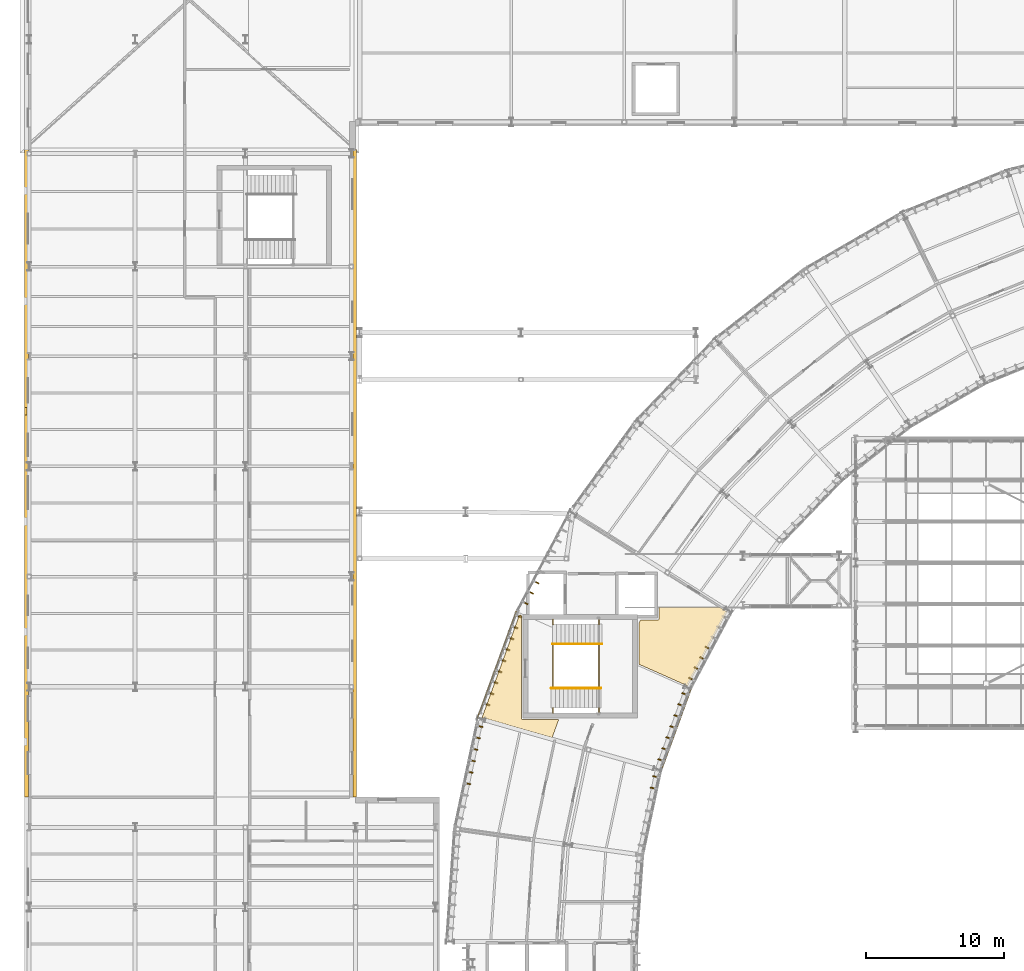
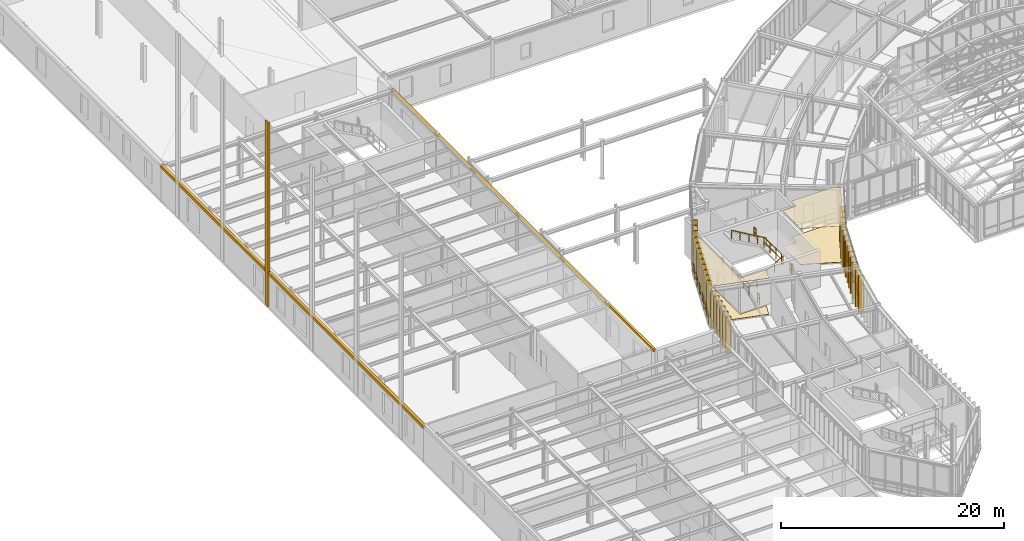
# One storey, part 139 of 148: 38 coverings, 10 railings.
"""IFC4 building model written with IfcOpenShell, lengths in metres."""

from ifc_helpers import new_model, si_unit, direction, frame, origin, origin_2d, place, context, subcontext, project, spatial, polyline, rectangle, circle, outline, extrude, material, layer, layer_set, type_object, element, save


model = new_model("IFC4")

# Units and contexts
model_context = context("Model", 3, precision=1e-05, world=origin(), true_north=direction((0.0, 1.0)))
body_context = subcontext(model_context, "Body", "Model", "MODEL_VIEW")
ifc_project = project(units=[si_unit("LENGTHUNIT", "METRE"), si_unit("AREAUNIT", "SQUARE_METRE"), si_unit("VOLUMEUNIT", "CUBIC_METRE"), si_unit("PLANEANGLEUNIT", "RADIAN"), si_unit("MASSUNIT", "GRAM", prefix="KILO"), si_unit("THERMODYNAMICTEMPERATUREUNIT", "KELVIN"), si_unit("POWERUNIT", "WATT")], contexts=[model_context])

# Site, building, storey
site_placement = place(None, origin())
site = spatial("IfcSite", under=ifc_project, at=site_placement, CompositionType="ELEMENT")
building_placement = place(site_placement, origin())
building = spatial("IfcBuilding", under=site, at=building_placement, Name="Solvatero Civic Police Headquarters", CompositionType="ELEMENT")
storey_placement = place(building_placement, frame((0.0, 0.0, 5.10009765625)))
storey = spatial("IfcBuildingStorey", under=building, at=storey_placement, Name="L01", CompositionType="ELEMENT", Elevation=5.10009765625)

# Coverings
ifc_material_1 = material(Name="Mineral-Fibre Acoustic Tile", Category="gypsum")
ifc_layer_1 = layer(ifc_material_1, 0.02490234375)
ifc_layer_set_1 = layer_set([ifc_layer_1], Name="Mineral-Fibre Acoustic Tile")
covering_type_1 = type_object("IfcCoveringType", Name="COV-CEIL-AC", PredefinedType="CEILING", material=ifc_layer_set_1)
covering_1_placement = place(storey_placement, frame((0.0, 0.0, 3.954833984375)))
element("IfcCovering", 1, at=covering_1_placement, inside=storey, type_object=covering_type_1, Name="Acoustic Ceiling Metropolitan Fraud Investigation Unit Bay 9", PredefinedType="CEILING", context=body_context, shape_type="SweptSolid", body=[
    extrude(outline(polyline([(55.46728515625, 49.936279296875), (52.608642578125, 44.559814453125), (49.070068359375, 46.135498046875), (49.070068359375, 49.14404296875), (49.184814453125, 49.360107421875), (50.4599609375, 49.360107421875), (50.4677734375, 49.3603515625), (50.4755859375, 49.361572265625), (50.483154296875, 49.36328125), (50.490478515625, 49.3662109375), (50.497802734375, 49.369384765625), (50.50439453125, 49.37353515625), (50.5107421875, 49.378173828125), (50.5166015625, 49.38330078125), (50.521728515625, 49.38916015625), (50.526611328125, 49.3955078125), (50.530517578125, 49.40234375), (50.533935546875, 49.409423828125), (50.53662109375, 49.416748046875), (50.53857421875, 49.42431640625), (50.53955078125, 49.43212890625), (50.5400390625, 49.43994140625), (50.5400390625, 50.280029296875), (54.91748046875, 50.280029296875), (55.46728515625, 49.936279296875)])), origin(), (0.0, 0.0, 1.0), 0.025146484375),
])
covering_2_placement = place(storey_placement, frame((0.0, 0.0, 3.954833984375)))
element("IfcCovering", 2, at=covering_2_placement, inside=storey, type_object=covering_type_1, Name="Acoustic Ceiling Detective Casework Squad Room Bay 10", PredefinedType="CEILING", context=body_context, shape_type="SweptSolid", body=[
    extrude(outline(polyline([(40.530029296875, 49.675048828125), (40.530029296875, 42.2099609375), (40.530517578125, 42.2021484375), (40.531494140625, 42.1943359375), (40.533447265625, 42.186767578125), (40.5361328125, 42.179443359375), (40.539306640625, 42.17236328125), (40.54345703125, 42.16552734375), (40.548095703125, 42.1591796875), (40.553466796875, 42.1533203125), (40.55908203125, 42.148193359375), (40.565673828125, 42.1435546875), (40.572265625, 42.139404296875), (40.579345703125, 42.135986328125), (40.5869140625, 42.13330078125), (40.594482421875, 42.131591796875), (40.602294921875, 42.13037109375), (40.610107421875, 42.1298828125), (43.24560546875, 42.1298828125), (42.76708984375, 40.815673828125), (37.6826171875, 42.273681640625), (40.39794921875, 49.73388671875), (40.530029296875, 49.675048828125)])), origin(), (0.0, 0.0, 1.0), 0.025146484375),
])
ifc_material_2 = material(Name="Anodized Bronze Aluminium", Category="aluminium")
ifc_layer_2 = layer(ifc_material_2, 0.080078125)
ifc_layer_set_2 = layer_set([ifc_layer_2], Name="Anodized Bronze Aluminium")
covering_type_2 = type_object("IfcCoveringType", Name="COV-FIN-480", PredefinedType="CLADDING", material=ifc_layer_set_2)
for number, where, z_axis, x_axis, name in (
    (3, (41.59228515625, 52.100341796875, -0.02001953125), (0.0, 0.0, 1.0), (-0.469471562786, -0.882947592859, 0.0), "Vertical Brise-Soleil Fin 0281"),
    (4, (41.193115234375, 51.349853515625, -0.02001953125), (0.0, 0.0, 1.0), (-0.469471562786, -0.882947592859, 0.0), "Vertical Brise-Soleil Fin 0282"),
    (5, (40.794189453125, 50.599365234375, -0.02001953125), (0.0, 0.0, 1.0), (-0.469471562786, -0.882947592859, 0.0), "Vertical Brise-Soleil Fin 0283"),
    (6, (54.107421875, 47.294189453125, -0.02001953125), (0.0, 0.0, 1.0), (-0.469471562786, -0.882947592859, 0.0), "Vertical Brise-Soleil Fin 0287"),
    (7, (53.70849609375, 46.543701171875, -0.02001953125), (0.0, 0.0, 1.0), (-0.469471562786, -0.882947592859, 0.0), "Vertical Brise-Soleil Fin 0288"),
    (8, (53.309326171875, 45.793212890625, -0.02001953125), (0.0, 0.0, 1.0), (-0.469471562786, -0.882947592859, 0.0), "Vertical Brise-Soleil Fin 0289"),
    (9, (52.91015625, 45.042724609375, -0.02001953125), (0.0, 0.0, 1.0), (-0.469471562786, -0.882947592859, 0.0), "Vertical Brise-Soleil Fin 0290"),
    (10, (40.31884765625, 49.632568359375, -0.02001953125), (0.0, 0.0, 1.0), (-0.342020143326, -0.939692620786, 0.0), "Vertical Brise-Soleil Fin 0291"),
    (11, (40.028076171875, 48.833740234375, -0.02001953125), (0.0, 0.0, 1.0), (-0.342020143326, -0.939692620786, 0.0), "Vertical Brise-Soleil Fin 0292"),
    (12, (39.7373046875, 48.03515625, -0.02001953125), (0.0, 0.0, 1.0), (-0.342020143326, -0.939692620786, 0.0), "Vertical Brise-Soleil Fin 0293"),
    (13, (39.44677734375, 47.236328125, -0.02001953125), (0.0, 0.0, 1.0), (-0.342020143326, -0.939692620786, 0.0), "Vertical Brise-Soleil Fin 0294"),
    (14, (39.156005859375, 46.4375, -0.02001953125), (0.0, 0.0, 1.0), (-0.342020143326, -0.939692620786, 0.0), "Vertical Brise-Soleil Fin 0295"),
    (15, (38.865234375, 45.638916015625, -0.02001953125), (0.0, 0.0, 1.0), (-0.342020143326, -0.939692620786, 0.0), "Vertical Brise-Soleil Fin 0296"),
    (16, (38.57470703125, 44.840087890625, -0.02001953125), (0.0, 0.0, 1.0), (-0.342020143326, -0.939692620786, 0.0), "Vertical Brise-Soleil Fin 0297"),
    (17, (38.283935546875, 44.04150390625, -0.02001953125), (0.0, 0.0, 1.0), (-0.342020143326, -0.939692620786, 0.0), "Vertical Brise-Soleil Fin 0298"),
    (18, (37.9931640625, 43.24267578125, -0.02001953125), (0.0, 0.0, 1.0), (-0.342020143326, -0.939692620786, 0.0), "Vertical Brise-Soleil Fin 0299"),
    (19, (52.417236328125, 43.967041015625, -0.02001953125), (0.0, 0.0, 1.0), (-0.342020143326, -0.939692620786, 0.0), "Vertical Brise-Soleil Fin 0300"),
    (20, (52.126708984375, 43.168212890625, -0.02001953125), (0.0, 0.0, 1.0), (-0.342020143326, -0.939692620786, 0.0), "Vertical Brise-Soleil Fin 0301"),
    (21, (51.835693359375, 42.36962890625, -0.02001953125), (0.0, 0.0, 1.0), (-0.342020143326, -0.939692620786, 0.0), "Vertical Brise-Soleil Fin 0302"),
    (22, (51.545166015625, 41.57080078125, -0.02001953125), (0.0, 0.0, 1.0), (-0.342020143326, -0.939692620786, 0.0), "Vertical Brise-Soleil Fin 0303"),
    (23, (51.25439453125, 40.772216796875, -0.02001953125), (0.0, 0.0, 1.0), (-0.342020143326, -0.939692620786, 0.0), "Vertical Brise-Soleil Fin 0304"),
    (24, (50.963623046875, 39.973388671875, -0.02001953125), (0.0, 0.0, 1.0), (-0.342020143326, -0.939692620786, 0.0), "Vertical Brise-Soleil Fin 0305"),
    (25, (50.673095703125, 39.174560546875, -0.02001953125), (0.0, 0.0, 1.0), (-0.342020143326, -0.939692620786, 0.0), "Vertical Brise-Soleil Fin 0306"),
    (26, (37.488525390625, 41.632080078125, -0.02001953125), (0.0, 0.0, 1.0), (-0.207911690818, -0.978147600734, 0.0), "Vertical Brise-Soleil Fin 0307"),
    (27, (37.31201171875, 40.80078125, -0.02001953125), (0.0, 0.0, 1.0), (-0.207911690818, -0.978147600734, 0.0), "Vertical Brise-Soleil Fin 0308"),
    (28, (37.13525390625, 39.969482421875, -0.02001953125), (0.0, 0.0, 1.0), (-0.207911690818, -0.978147600734, 0.0), "Vertical Brise-Soleil Fin 0309"),
    (29, (36.95849609375, 39.137939453125, -0.02001953125), (0.0, 0.0, 1.0), (-0.207911690818, -0.978147600734, 0.0), "Vertical Brise-Soleil Fin 0310"),
    (30, (36.78173828125, 38.306396484375, -0.02001953125), (0.0, 0.0, 1.0), (-0.207911690818, -0.978147600734, 0.0), "Vertical Brise-Soleil Fin 0311"),
    (31, (36.60498046875, 37.47509765625, -0.02001953125), (0.0, 0.0, 1.0), (-0.207911690818, -0.978147600734, 0.0), "Vertical Brise-Soleil Fin 0312"),
    (32, (50.3134765625, 37.968017578125, -0.02001953125), (0.0, 0.0, 1.0), (-0.207911690818, -0.978147600734, 0.0), "Vertical Brise-Soleil Fin 0316"),
    (33, (50.13671875, 37.136474609375, -0.02001953125), (0.0, 0.0, 1.0), (-0.207911690818, -0.978147600734, 0.0), "Vertical Brise-Soleil Fin 0317"),
):
    element("IfcCovering", number, at=place(storey_placement, frame(where, z_axis=z_axis, x_axis=x_axis)), inside=storey, type_object=covering_type_2, Name=name, PredefinedType="CLADDING", context=body_context, shape_type="SweptSolid", body=[
        extrude(rectangle(XDim=0.080078125, YDim=0.47998046875, at=origin_2d()), origin(), (0.0, 0.0, 1.0), 3.97998046875),
    ])
ifc_material_3 = material(Name="Venetian Terrazzo Stone", Category="masonry")
ifc_layer_3 = layer(ifc_material_3, 0.034912109375)
ifc_layer_set_3 = layer_set([ifc_layer_3], Name="Venetian Terrazzo Stone")
covering_type_3 = type_object("IfcCoveringType", Name="COV-FLR-TER", PredefinedType="FLOORING", material=ifc_layer_set_3)
covering_3_placement = place(storey_placement, origin())
element("IfcCovering", 34, at=covering_3_placement, inside=storey, type_object=covering_type_3, Name="Flooring Metropolitan Fraud Investigation Unit Bay 9", PredefinedType="FLOORING", context=body_context, shape_type="SweptSolid", body=[
    extrude(outline(polyline([(55.46728515625, 49.936279296875), (52.608642578125, 44.559814453125), (49.070068359375, 46.135498046875), (49.070068359375, 49.14404296875), (49.184814453125, 49.360107421875), (50.4599609375, 49.360107421875), (50.4677734375, 49.3603515625), (50.4755859375, 49.361572265625), (50.483154296875, 49.36328125), (50.490478515625, 49.3662109375), (50.497802734375, 49.369384765625), (50.50439453125, 49.37353515625), (50.5107421875, 49.378173828125), (50.5166015625, 49.38330078125), (50.521728515625, 49.38916015625), (50.526611328125, 49.3955078125), (50.530517578125, 49.40234375), (50.533935546875, 49.409423828125), (50.53662109375, 49.416748046875), (50.53857421875, 49.42431640625), (50.53955078125, 49.43212890625), (50.5400390625, 49.43994140625), (50.5400390625, 50.280029296875), (54.91748046875, 50.280029296875), (55.46728515625, 49.936279296875)])), origin(), (0.0, 0.0, 1.0), 0.034912109375),
])
covering_4_placement = place(storey_placement, origin())
element("IfcCovering", 35, at=covering_4_placement, inside=storey, type_object=covering_type_3, Name="Flooring Detective Casework Squad Room Bay 10", PredefinedType="FLOORING", context=body_context, shape_type="SweptSolid", body=[
    extrude(outline(polyline([(40.530029296875, 49.675048828125), (40.530029296875, 42.2099609375), (40.530517578125, 42.2021484375), (40.531494140625, 42.1943359375), (40.533447265625, 42.186767578125), (40.5361328125, 42.179443359375), (40.539306640625, 42.17236328125), (40.54345703125, 42.16552734375), (40.548095703125, 42.1591796875), (40.553466796875, 42.1533203125), (40.55908203125, 42.148193359375), (40.565673828125, 42.1435546875), (40.572265625, 42.139404296875), (40.579345703125, 42.135986328125), (40.5869140625, 42.13330078125), (40.594482421875, 42.131591796875), (40.602294921875, 42.13037109375), (40.610107421875, 42.1298828125), (43.24560546875, 42.1298828125), (42.76708984375, 40.815673828125), (37.6826171875, 42.273681640625), (40.39794921875, 49.73388671875), (40.530029296875, 49.675048828125)])), origin(), (0.0, 0.0, 1.0), 0.034912109375),
])
ifc_material_4 = material(Name="Cream Limestone Ashlar", Category="masonry")
ifc_layer_4 = layer(ifc_material_4, 0.10009765625)
ifc_layer_set_4 = layer_set([ifc_layer_4], Name="Cream Limestone Ashlar")
covering_type_4 = type_object("IfcCoveringType", Name="COV-TRIM-STONE", PredefinedType="CLADDING", material=ifc_layer_set_4)
covering_5_placement = place(storey_placement, frame((4.60009765625, 60.0, 3.56005859375), z_axis=(0.0, 0.0, 1.0), x_axis=(1.0, 0.0, 0.0)))
element("IfcCovering", 36, at=covering_5_placement, inside=storey, type_object=covering_type_4, Name="Classical Limestone Trim TRIM-V6-L01-W", PredefinedType="CLADDING", context=body_context, shape_type="SweptSolid", body=[
    extrude(rectangle(XDim=0.280029296875, YDim=47.0, at=origin_2d()), origin(), (0.0, 0.0, 1.0), 0.320068359375),
])
covering_6_placement = place(storey_placement, frame((28.43994140625, 60.0, 3.56982421875), z_axis=(0.0, 0.0, 1.0), x_axis=(1.0, 0.0, 0.0)))
element("IfcCovering", 37, at=covering_6_placement, inside=storey, type_object=covering_type_4, Name="Classical Limestone Trim TRIM-V6-L01-E", PredefinedType="CLADDING", context=body_context, shape_type="SweptSolid", body=[
    extrude(rectangle(XDim=0.239990234375, YDim=47.0, at=origin_2d()), origin(), (0.0, 0.0, 1.0), 0.300048828125),
])
covering_7_placement = place(storey_placement, frame((4.5400390625, 64.5, 0.0498046875), z_axis=(0.0, 0.0, 1.0), x_axis=(1.0, 0.0, 0.0)))
element("IfcCovering", 38, at=covering_7_placement, inside=storey, type_object=covering_type_4, Name="Classical Limestone Trim PIL-V6-W-64", PredefinedType="CLADDING", context=body_context, shape_type="SweptSolid", body=[
    extrude(rectangle(XDim=0.179931640625, YDim=0.550048828125, at=origin_2d()), origin(), (0.0, 0.0, 1.0), 20.10009765625),
])

# Railings
ifc_material_5 = material(Name="Anodized Bronze and Laminated Glass", Category="glass")
railing_type_1 = type_object("IfcRailingType", Name="RL-BAL-115", PredefinedType="BALUSTRADE", material=ifc_material_5)
railing_1_placement = place(storey_placement, frame((52.835693359375, 44.32763671875, 0.0)))
element("IfcRailing", 39, at=railing_1_placement, inside=storey, type_object=railing_type_1, Name="Glazed Facade Sill Balustrade RL-L01-ARCIN-B10", PredefinedType="BALUSTRADE", context=body_context, shape_type="SweptSolid", body=[
    extrude(circle(Radius=0.02392578125, at=origin_2d()), frame((0.0, 0.0, 1.1259765625), z_axis=(-0.342020563113, -0.939692467996, 0.0), x_axis=(0.939692467996, -0.342020563113, 0.0)), (0.0, 0.0, 1.0), 6.28662109375),
    extrude(circle(Radius=0.02392578125, at=origin_2d()), frame((0.0, 0.0, 0.55078125), z_axis=(-0.342020563113, -0.939692467996, 0.0), x_axis=(0.939692467996, -0.342020563113, 0.0)), (0.0, 0.0, 1.0), 6.28662109375),
    extrude(circle(Radius=0.02099609375, at=origin_2d()), origin(), (0.0, 0.0, 1.0), 1.101806640625),
    extrude(circle(Radius=0.02099609375, at=origin_2d()), frame((-0.3583984375, -0.984619140625, 0.0)), (0.0, 0.0, 1.0), 1.101806640625),
    extrude(circle(Radius=0.02099609375, at=origin_2d()), frame((-0.716796875, -1.96923828125, 0.0)), (0.0, 0.0, 1.0), 1.101806640625),
    extrude(circle(Radius=0.02099609375, at=origin_2d()), frame((-1.0751953125, -2.95361328125, 0.0)), (0.0, 0.0, 1.0), 1.101806640625),
    extrude(circle(Radius=0.02099609375, at=origin_2d()), frame((-1.433349609375, -3.938232421875, 0.0)), (0.0, 0.0, 1.0), 1.101806640625),
    extrude(circle(Radius=0.02099609375, at=origin_2d()), frame((-1.791748046875, -4.9228515625, 0.0)), (0.0, 0.0, 1.0), 1.101806640625),
    extrude(circle(Radius=0.02099609375, at=origin_2d()), frame((-2.150146484375, -5.907470703125, 0.0)), (0.0, 0.0, 1.0), 1.101806640625),
])
railing_2_placement = place(storey_placement, frame((40.155517578125, 49.97314453125, 0.0)))
element("IfcRailing", 40, at=railing_2_placement, inside=storey, type_object=railing_type_1, Name="Glazed Facade Sill Balustrade RL-L01-ARCOUT-B10", PredefinedType="BALUSTRADE", context=body_context, shape_type="SweptSolid", body=[
    extrude(circle(Radius=0.02392578125, at=origin_2d()), frame((0.0, 0.0, 1.1259765625), z_axis=(-0.342002894578, -0.939698898637, 0.0), x_axis=(0.939698898637, -0.342002894578, 0.0)), (0.0, 0.0, 1.0), 8.222900390625),
    extrude(circle(Radius=0.02392578125, at=origin_2d()), frame((0.0, 0.0, 0.55078125), z_axis=(-0.342002894578, -0.939698898637, 0.0), x_axis=(0.939698898637, -0.342002894578, 0.0)), (0.0, 0.0, 1.0), 8.222900390625),
    extrude(circle(Radius=0.02099609375, at=origin_2d()), origin(), (0.0, 0.0, 1.0), 1.101806640625),
    extrude(circle(Radius=0.02099609375, at=origin_2d()), frame((-0.40185546875, -1.103759765625, 0.0)), (0.0, 0.0, 1.0), 1.101806640625),
    extrude(circle(Radius=0.02099609375, at=origin_2d()), frame((-0.803466796875, -2.207763671875, 0.0)), (0.0, 0.0, 1.0), 1.101806640625),
    extrude(circle(Radius=0.02099609375, at=origin_2d()), frame((-1.205322265625, -3.3115234375, 0.0)), (0.0, 0.0, 1.0), 1.101806640625),
    extrude(circle(Radius=0.02099609375, at=origin_2d()), frame((-1.60693359375, -4.41552734375, 0.0)), (0.0, 0.0, 1.0), 1.101806640625),
    extrude(circle(Radius=0.02099609375, at=origin_2d()), frame((-2.0087890625, -5.519287109375, 0.0)), (0.0, 0.0, 1.0), 1.101806640625),
    extrude(circle(Radius=0.02099609375, at=origin_2d()), frame((-2.410400390625, -6.623291015625, 0.0)), (0.0, 0.0, 1.0), 1.101806640625),
    extrude(circle(Radius=0.02099609375, at=origin_2d()), frame((-2.812255859375, -7.72705078125, 0.0)), (0.0, 0.0, 1.0), 1.101806640625),
])
ifc_material_6 = material(Name="Painted Galvanized Steel", Category="steel")
railing_type_2 = type_object("IfcRailingType", Name="RL-GRD-110", PredefinedType="GUARDRAIL", material=ifc_material_6)
railing_3_placement = place(storey_placement, frame((42.830078125, 44.429931640625, 0.0)))
element("IfcRailing", 41, at=railing_3_placement, inside=storey, type_object=railing_type_2, Name="ST-C2 L01 Floor Well Guardrail", PredefinedType="GUARDRAIL", context=body_context, shape_type="SweptSolid", body=[
    extrude(circle(Radius=0.02392578125, at=origin_2d()), frame((0.0, 0.0, 1.09619140625), z_axis=(0.0, 1.0, 0.0), x_axis=(-1.0, 0.0, 0.0)), (0.0, 0.0, 1.0), 3.14013671875),
    extrude(circle(Radius=0.02392578125, at=origin_2d()), frame((0.0, 0.0, 0.5361328125), z_axis=(0.0, 1.0, 0.0), x_axis=(-1.0, 0.0, 0.0)), (0.0, 0.0, 1.0), 3.14013671875),
    extrude(circle(Radius=0.02099609375, at=origin_2d()), origin(), (0.0, 0.0, 1.0), 1.072021484375),
    extrude(circle(Radius=0.02099609375, at=origin_2d()), frame((0.0, 1.046630859375, 0.0)), (0.0, 0.0, 1.0), 1.072021484375),
    extrude(circle(Radius=0.02099609375, at=origin_2d()), frame((0.0, 2.093505859375, 0.0)), (0.0, 0.0, 1.0), 1.072021484375),
    extrude(circle(Radius=0.02099609375, at=origin_2d()), frame((0.0, 3.14013671875, 0.0)), (0.0, 0.0, 1.0), 1.072021484375),
])
for number, where, name in (
    (42, (42.830078125, 42.610107421875, 0.0), "ST-C2 L01 Floor Well South Slot Guardrail"),
    (43, (42.830078125, 49.030029296875, 0.0), "ST-C2 L01 Floor Well North Slot Guardrail"),
):
    element("IfcRailing", number, at=place(storey_placement, frame(where)), inside=storey, type_object=railing_type_2, Name=name, PredefinedType="GUARDRAIL", context=body_context, shape_type="SweptSolid", body=[
        extrude(circle(Radius=0.02392578125, at=origin_2d()), frame((0.0, 0.0, 1.09619140625), z_axis=(0.0, 1.0, 0.0), x_axis=(-1.0, 0.0, 0.0)), (0.0, 0.0, 1.0), 0.35986328125),
        extrude(circle(Radius=0.02392578125, at=origin_2d()), frame((0.0, 0.0, 0.5361328125), z_axis=(0.0, 1.0, 0.0), x_axis=(-1.0, 0.0, 0.0)), (0.0, 0.0, 1.0), 0.35986328125),
        extrude(circle(Radius=0.02099609375, at=origin_2d()), origin(), (0.0, 0.0, 1.0), 1.072021484375),
        extrude(circle(Radius=0.02099609375, at=origin_2d()), frame((0.0, 0.35986328125, 0.0)), (0.0, 0.0, 1.0), 1.072021484375),
    ])
railing_4_placement = place(storey_placement, frame((46.169921875, 44.429931640625, 2.099853515625)))
element("IfcRailing", 44, at=railing_4_placement, inside=storey, type_object=railing_type_2, Name="ST-C2 L01 Half-Landing Well Guardrail", PredefinedType="GUARDRAIL", context=body_context, shape_type="SweptSolid", body=[
    extrude(circle(Radius=0.02392578125, at=origin_2d()), frame((0.0, 0.0, 1.09619140625), z_axis=(0.0, 1.0, 0.0), x_axis=(-1.0, 0.0, 0.0)), (0.0, 0.0, 1.0), 3.14013671875),
    extrude(circle(Radius=0.02392578125, at=origin_2d()), frame((0.0, 0.0, 0.5361328125), z_axis=(0.0, 1.0, 0.0), x_axis=(-1.0, 0.0, 0.0)), (0.0, 0.0, 1.0), 3.14013671875),
    extrude(circle(Radius=0.02099609375, at=origin_2d()), origin(), (0.0, 0.0, 1.0), 1.072021484375),
    extrude(circle(Radius=0.02099609375, at=origin_2d()), frame((0.0, 1.046630859375, 0.0)), (0.0, 0.0, 1.0), 1.072021484375),
    extrude(circle(Radius=0.02099609375, at=origin_2d()), frame((0.0, 2.093505859375, 0.0)), (0.0, 0.0, 1.0), 1.072021484375),
    extrude(circle(Radius=0.02099609375, at=origin_2d()), frame((0.0, 3.14013671875, 0.0)), (0.0, 0.0, 1.0), 1.072021484375),
])
for number, where, name in (
    (45, (46.169921875, 42.610107421875, 2.099853515625), "ST-C2 L01 Half-Landing South Slot Guardrail"),
    (46, (46.169921875, 49.030029296875, 2.099853515625), "ST-C2 L01 Half-Landing North Slot Guardrail"),
):
    element("IfcRailing", number, at=place(storey_placement, frame(where)), inside=storey, type_object=railing_type_2, Name=name, PredefinedType="GUARDRAIL", context=body_context, shape_type="SweptSolid", body=[
        extrude(circle(Radius=0.02392578125, at=origin_2d()), frame((0.0, 0.0, 1.09619140625), z_axis=(0.0, 1.0, 0.0), x_axis=(-1.0, 0.0, 0.0)), (0.0, 0.0, 1.0), 0.35986328125),
        extrude(circle(Radius=0.02392578125, at=origin_2d()), frame((0.0, 0.0, 0.5361328125), z_axis=(0.0, 1.0, 0.0), x_axis=(-1.0, 0.0, 0.0)), (0.0, 0.0, 1.0), 0.35986328125),
        extrude(circle(Radius=0.02099609375, at=origin_2d()), origin(), (0.0, 0.0, 1.0), 1.072021484375),
        extrude(circle(Radius=0.02099609375, at=origin_2d()), frame((0.0, 0.35986328125, 0.0)), (0.0, 0.0, 1.0), 1.072021484375),
    ])
ifc_material_7 = material(Name="Brushed Stainless Steel", Category="steel")
railing_type_3 = type_object("IfcRailingType", Name="RL-HND-092", PredefinedType="HANDRAIL", material=ifc_material_7)
railing_5_placement = place(storey_placement, frame((42.699951171875, 44.39990234375, 0.0)))
element("IfcRailing", 47, at=railing_5_placement, inside=storey, type_object=railing_type_3, Name="ST-C2 L01 Flight 1 Handrail", PredefinedType="HANDRAIL", context=body_context, shape_type="SweptSolid", body=[
    extrude(circle(Radius=0.02392578125, at=origin_2d()), frame((0.0, 0.0, 0.89599609375), z_axis=(0.863800146258, 0.0, 0.503834603144), x_axis=(0.0, 1.0, 0.0)), (0.0, 0.0, 1.0), 4.167724609375),
    extrude(circle(Radius=0.02099609375, at=origin_2d()), origin(), (0.0, 0.0, 1.0), 0.871826171875),
    extrude(circle(Radius=0.02099609375, at=origin_2d()), frame((0.89990234375, 0.0, 0.52490234375)), (0.0, 0.0, 1.0), 0.871826171875),
    extrude(circle(Radius=0.02099609375, at=origin_2d()), frame((1.800048828125, 0.0, 1.0498046875)), (0.0, 0.0, 1.0), 0.871826171875),
    extrude(circle(Radius=0.02099609375, at=origin_2d()), frame((2.7001953125, 0.0, 1.574951171875)), (0.0, 0.0, 1.0), 0.871826171875),
    extrude(circle(Radius=0.02099609375, at=origin_2d()), frame((3.60009765625, 0.0, 2.099853515625)), (0.0, 0.0, 1.0), 0.871826171875),
])
railing_6_placement = place(storey_placement, frame((46.39990234375, 47.60009765625, 2.099853515625)))
element("IfcRailing", 48, at=railing_6_placement, inside=storey, type_object=railing_type_3, Name="ST-C2 L01 Flight 2 Handrail", PredefinedType="HANDRAIL", context=body_context, shape_type="SweptSolid", body=[
    extrude(circle(Radius=0.02392578125, at=origin_2d()), frame((0.0, 0.0, 0.89599609375), z_axis=(-0.863759778359, 0.0, 0.503903805591), x_axis=(0.0, -1.0, 0.0)), (0.0, 0.0, 1.0), 4.167724609375),
    extrude(circle(Radius=0.02099609375, at=origin_2d()), origin(), (0.0, 0.0, 1.0), 0.871826171875),
    extrude(circle(Radius=0.02099609375, at=origin_2d()), frame((-0.89990234375, 0.0, 0.52490234375)), (0.0, 0.0, 1.0), 0.871826171875),
    extrude(circle(Radius=0.02099609375, at=origin_2d()), frame((-1.7998046875, 0.0, 1.050048828125)), (0.0, 0.0, 1.0), 0.871826171875),
    extrude(circle(Radius=0.02099609375, at=origin_2d()), frame((-2.699951171875, 0.0, 1.5751953125)), (0.0, 0.0, 1.0), 0.871826171875),
    extrude(circle(Radius=0.02099609375, at=origin_2d()), frame((-3.599853515625, 0.0, 2.10009765625)), (0.0, 0.0, 1.0), 0.871826171875),
])

save(model, "model.ifc")
